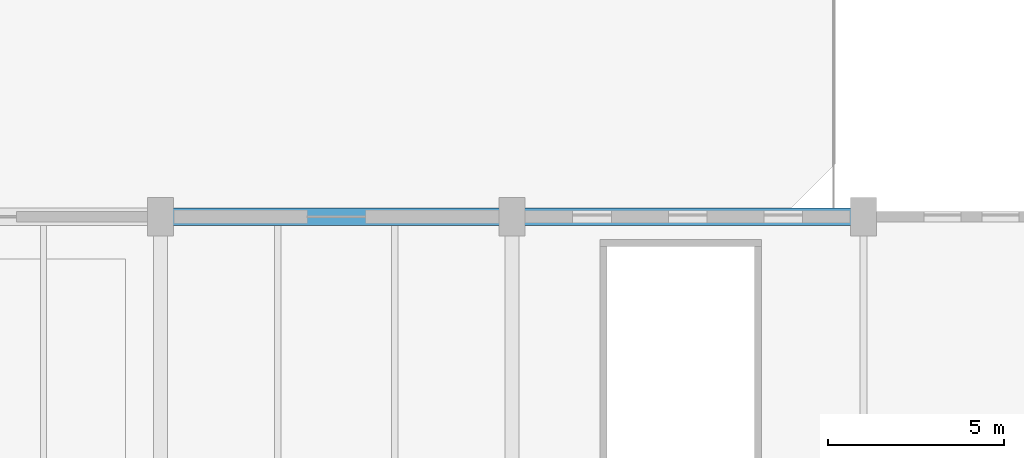
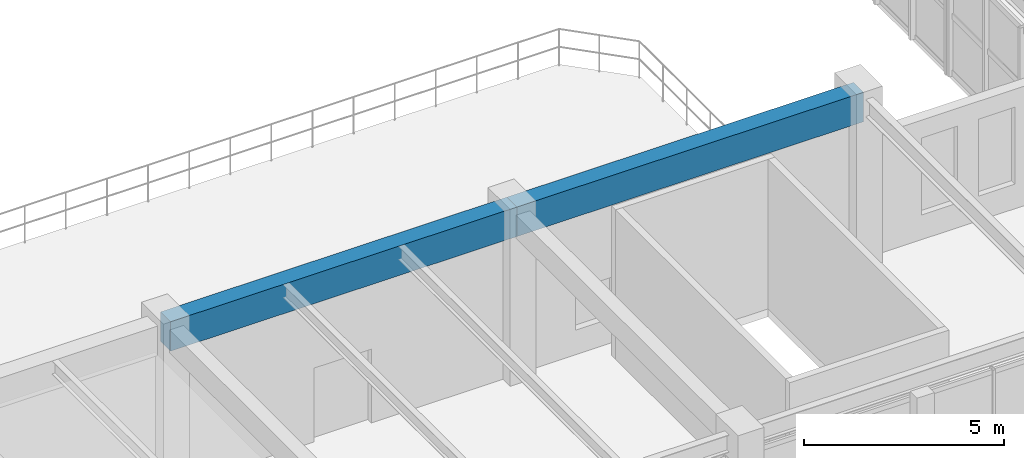
# One storey, part 33 of 106: 2 beams.
"""IFC4 building model written with IfcOpenShell, lengths in metres."""

import ifcopenshell
import ifcopenshell.guid

model = None  # the IFC model being written
_history = None  # IfcOwnerHistory: only IFC2X3 demands one
_inside = {}  # id of a spatial element -> (the spatial element, [elements in it])
_under = {}  # id of a project, library or spatial element -> (it, [spatial elements below it])
_declared = {}  # id of a project -> (the project, [libraries it declares])
_typed = {}  # id of a type object -> (the type object, [elements of that type])
_made_of = {}  # id of a material, layer set ... -> (it, [elements and type objects made of it])


def new_model(schema):
    """Start an empty IFC model of exactly this schema.

    Asked for "IFC4X3", IfcOpenShell would pick the latest addendum, in which some entities
    have other attributes; the version numbers below select the first issue.
    IFC2X3 requires an IfcOwnerHistory on every rooted entity: one is made here for all.
    """
    global model, _history
    if schema == "IFC4X3":
        model = ifcopenshell.file(schema_version=(4, 3, 0, 0))
    else:
        model = ifcopenshell.file(schema=schema)
    _inside.clear()
    _under.clear()
    _declared.clear()
    _typed.clear()
    _made_of.clear()
    _history = None
    if model.schema == "IFC2X3":
        org = make("IfcOrganization", Name="unknown")
        user = make(
            "IfcPersonAndOrganization",
            ThePerson=make("IfcPerson", FamilyName="unknown"),
            TheOrganization=org,
        )
        app = make(
            "IfcApplication",
            ApplicationDeveloper=org,
            Version="unknown",
            ApplicationFullName="unknown",
            ApplicationIdentifier="unknown",
        )
        _history = make(
            "IfcOwnerHistory",
            OwningUser=user,
            OwningApplication=app,
            ChangeAction="ADDED",
            CreationDate=0,
        )
    return model


def make(cls, **values):
    """One entity of the class cls with the attributes given. An attribute that is None is left unset."""
    return model.create_entity(
        cls, **{name: value for name, value in values.items() if value is not None}
    )


def rooted(cls, **values):
    """An entity with a GlobalId (a new one), such as an element, a storey or a relation."""
    return make(cls, GlobalId=ifcopenshell.guid.new(), OwnerHistory=_history, **values)


def si_unit(unit_type, name, prefix=None):
    """IfcSIUnit, for example si_unit("LENGTHUNIT", "METRE", prefix="MILLI")."""
    return make("IfcSIUnit", UnitType=unit_type, Prefix=prefix, Name=name)


def assignment(units):
    """IfcUnitAssignment: the units of a project."""
    return None if units is None else make("IfcUnitAssignment", Units=units)


def point(xyz):
    """IfcCartesianPoint."""
    return None if xyz is None else make("IfcCartesianPoint", Coordinates=xyz)


def direction(xyz):
    """IfcDirection."""
    return None if xyz is None else make("IfcDirection", DirectionRatios=xyz)


def frame(location, z_axis=None, x_axis=None):
    """IfcAxis2Placement3D, a coordinate frame: its origin and axes. An axis left out is left unset."""
    return make(
        "IfcAxis2Placement3D",
        Location=point(location),
        Axis=direction(z_axis),
        RefDirection=direction(x_axis),
    )


def frame_2d(location, x_axis=None):
    """IfcAxis2Placement2D, a coordinate frame in the plane: its origin and x axis."""
    return make(
        "IfcAxis2Placement2D", Location=point(location), RefDirection=direction(x_axis)
    )


def origin():
    """The frame at (0, 0, 0) with its axes left unset."""
    return frame((0.0, 0.0, 0.0))


def origin_2d():
    """The frame at (0, 0) in the plane with its x axis left unset."""
    return frame_2d((0.0, 0.0))


def place(relative_to, where):
    """IfcLocalPlacement: puts the frame where relative to a parent placement (None: the world)."""
    return make(
        "IfcLocalPlacement", PlacementRelTo=relative_to, RelativePlacement=where
    )


def context(
    kind, dimensions, precision=None, world=None, true_north=None, identifier=None
):
    """IfcGeometricRepresentationContext, for example the 3D "Model" context."""
    return make(
        "IfcGeometricRepresentationContext",
        ContextIdentifier=identifier,
        ContextType=kind,
        CoordinateSpaceDimension=dimensions,
        Precision=precision,
        WorldCoordinateSystem=world,
        TrueNorth=true_north,
    )


def subcontext(parent, identifier, kind, view, scale=None):
    """IfcGeometricRepresentationSubContext, for example "Body" below "Model"."""
    return make(
        "IfcGeometricRepresentationSubContext",
        ContextIdentifier=identifier,
        ContextType=kind,
        ParentContext=parent,
        TargetScale=scale,
        TargetView=view,
    )


def project(units=None, contexts=None):
    """IfcProject with its units and contexts."""
    return rooted(
        "IfcProject",
        Name="project",
        RepresentationContexts=contexts,
        UnitsInContext=assignment(units),
    )


def spatial(cls, under=None, at=None, **own):
    """A site, building, storey or space (cls), placed at a placement, below another one or the project."""
    s = rooted(cls, ObjectPlacement=at, **own)
    if under is not None:
        _under.setdefault(under.id(), (under, []))[1].append(s)
    return s


def profile(cls, at=None, kind="AREA", **sizes):
    """A parametric profile (cls). Its sizes go by their IFC names, for example OverallWidth=200.0."""
    return make(cls, ProfileType=kind, Position=at, **sizes)


def rectangle(**sizes):
    """IfcRectangleProfileDef."""
    return profile("IfcRectangleProfileDef", **sizes)


def extrude(swept, where, along, depth):
    """IfcExtrudedAreaSolid: the profile swept, set in the frame where, extruded along a direction by depth."""
    return make(
        "IfcExtrudedAreaSolid",
        SweptArea=swept,
        Position=where,
        ExtrudedDirection=direction(along),
        Depth=depth,
    )


def shape(context_of_items, identifier, shape_type, items):
    """IfcShapeRepresentation: the items that make up one representation, for example the "Body"."""
    return make(
        "IfcShapeRepresentation",
        ContextOfItems=context_of_items,
        RepresentationIdentifier=identifier,
        RepresentationType=shape_type,
        Items=items,
    )


def material(Name=None, Category=None):
    """IfcMaterial."""
    return make("IfcMaterial", Name=Name, Category=Category)


def material_profile(
    of_material, cross_section, Name=None, Category=None, Priority=None
):
    """IfcMaterialProfile: a cross section and its material."""
    return make(
        "IfcMaterialProfile",
        Name=Name,
        Material=of_material,
        Profile=cross_section,
        Priority=Priority,
        Category=Category,
    )


def profile_set(profiles, Name=None, composite=None):
    """IfcMaterialProfileSet."""
    return make(
        "IfcMaterialProfileSet",
        Name=Name,
        MaterialProfiles=profiles,
        CompositeProfile=composite,
    )


def made_of(thing, what):
    """Note that an element or type object is made of a material, layer set ...; save() writes the relation."""
    if what is not None:
        _made_of.setdefault(what.id(), (what, []))[1].append(thing)
    return thing


def type_object(cls, material=None, **own):
    """A type object (cls), such as IfcWallType, which elements share."""
    return made_of(rooted(cls, **own), material)


def element(
    cls,
    number,
    at=None,
    inside=None,
    cuts=None,
    type_object=None,
    material=None,
    context=None,
    identifier="Body",
    shape_type=None,
    held_by="IfcProductDefinitionShape",
    body=None,
    shapes=None,
    **own,
):
    """One element of the class cls, such as IfcWall. Its Tag is "e" and its number.

    at: its placement. inside: the storey or other place that contains it. cuts: it is an
    opening in that element (IfcRelVoidsElement). A single representation is given by context,
    identifier, shape_type and body (its items); several are given by shapes. held_by: the class
    of the entity that holds the representations. save() writes the other relations.
    """
    e = rooted(cls, Tag="e%d" % number, ObjectPlacement=at, **own)
    if body is not None:
        shapes = [shape(context, identifier, shape_type, body)]
    if shapes is not None:
        e.Representation = make(held_by, Representations=shapes)
    if inside is not None:
        _inside.setdefault(inside.id(), (inside, []))[1].append(e)
    if cuts is not None:
        rooted(
            "IfcRelVoidsElement", RelatingBuildingElement=cuts, RelatedOpeningElement=e
        )
    if type_object is not None:
        _typed.setdefault(type_object.id(), (type_object, []))[1].append(e)
    return made_of(e, material)


def aggregate(whole, parts):
    """IfcRelAggregates: a whole, such as a stair, and the parts it consists of."""
    return rooted("IfcRelAggregates", RelatingObject=whole, RelatedObjects=parts)


def save(model, path):
    """Write the relations noted so far, then the file.

    IfcRelAggregates (storeys below a building ...), IfcRelContainedInSpatialStructure (elements
    in a storey), IfcRelDefinesByType, IfcRelAssociatesMaterial and IfcRelDeclares: one each for
    every whole, place, type object, material and project.
    """
    for whole, parts in _under.values():
        aggregate(whole, parts)
    for where, things in _inside.values():
        rooted(
            "IfcRelContainedInSpatialStructure",
            RelatedElements=things,
            RelatingStructure=where,
        )
    for kind, things in _typed.values():
        rooted("IfcRelDefinesByType", RelatedObjects=things, RelatingType=kind)
    for what, things in _made_of.values():
        rooted("IfcRelAssociatesMaterial", RelatedObjects=things, RelatingMaterial=what)
    for by, libraries in _declared.values():
        rooted("IfcRelDeclares", RelatingContext=by, RelatedDefinitions=libraries)
    model.write(path)


model = new_model("IFC4")

# Units and contexts
model_context = context("Model", 3, precision=1e-05, world=origin(), true_north=direction((0.0, 1.0)))
body_context = subcontext(model_context, "Body", "Model", "MODEL_VIEW")
ifc_project = project(units=[si_unit("LENGTHUNIT", "METRE"), si_unit("AREAUNIT", "SQUARE_METRE"), si_unit("VOLUMEUNIT", "CUBIC_METRE"), si_unit("PLANEANGLEUNIT", "RADIAN"), si_unit("MASSUNIT", "GRAM", prefix="KILO"), si_unit("POWERUNIT", "WATT"), si_unit("THERMODYNAMICTEMPERATUREUNIT", "KELVIN")], contexts=[model_context])

# Site, building, storey
site_placement = place(None, origin())
site = spatial("IfcSite", under=ifc_project, at=site_placement, CompositionType="ELEMENT")
building_placement = place(site_placement, origin())
building = spatial("IfcBuilding", under=site, at=building_placement, Name="Kelmbourne Parkland Aquatics Centre", CompositionType="ELEMENT")
storey_placement = place(building_placement, frame((0.0, 0.0, 5.39990234375)))
storey = spatial("IfcBuildingStorey", under=building, at=storey_placement, Name="L01", CompositionType="ELEMENT", Elevation=5.39990234375)

# Beams
ifc_material = material(Name="Concrete C40/50", Category="concrete")
ifc_material_profile = material_profile(ifc_material, rectangle(XDim=0.5, YDim=0.89990234375, at=origin_2d()), Name="RC 500x900")
ifc_profile_set = profile_set([ifc_material_profile], Name="Concrete C40/50")
beam_type = type_object("IfcBeamType", Name="BM-G03", PredefinedType="BEAM", material=ifc_profile_set)
for number, where, z_axis, x_axis, name in (
    (1, (76.0, 12.199951171875, 4.710205078125), (1.0, 0.0, 0.0), (0.0, 1.0, 0.0), "Primary girder J-K Grid 03 (L02_FOY)"),
    (2, (86.0, 12.199951171875, 4.710205078125), (1.0, 0.0, 0.0), (0.0, 1.0, 0.0), "Primary girder K-L Grid 03 (L02_FOY)"),
):
    element("IfcBeam", number, at=place(storey_placement, frame(where, z_axis=z_axis, x_axis=x_axis)), inside=storey, type_object=beam_type, Name=name, PredefinedType="BEAM", context=body_context, shape_type="SweptSolid", body=[
        extrude(rectangle(XDim=0.5, YDim=0.89990234375, at=origin_2d()), origin(), (0.0, 0.0, 1.0), 10.0),
    ])

save(model, "model.ifc")
